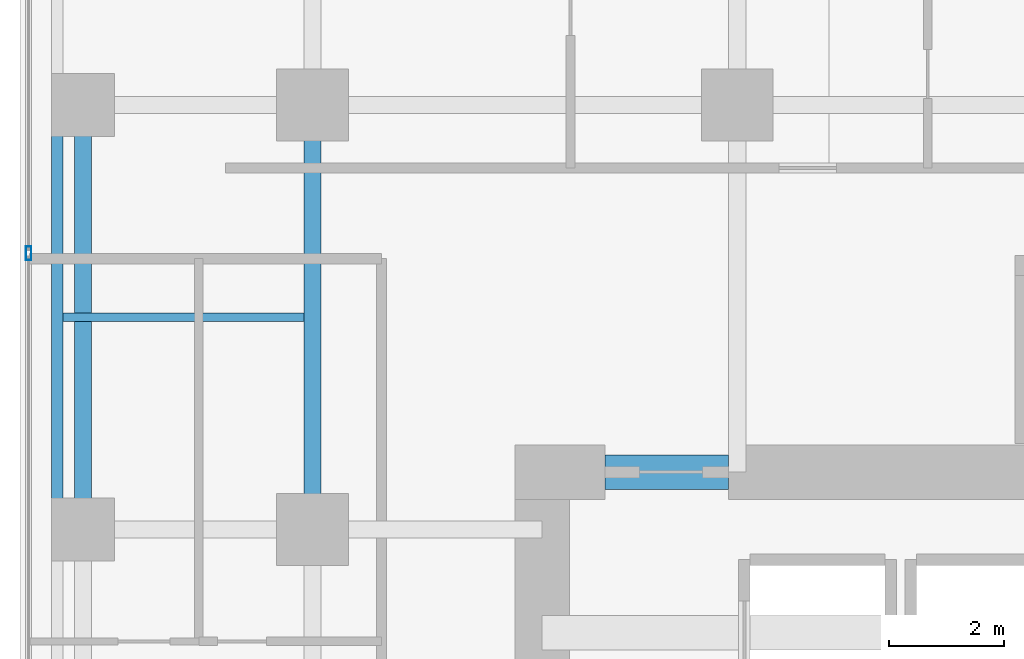
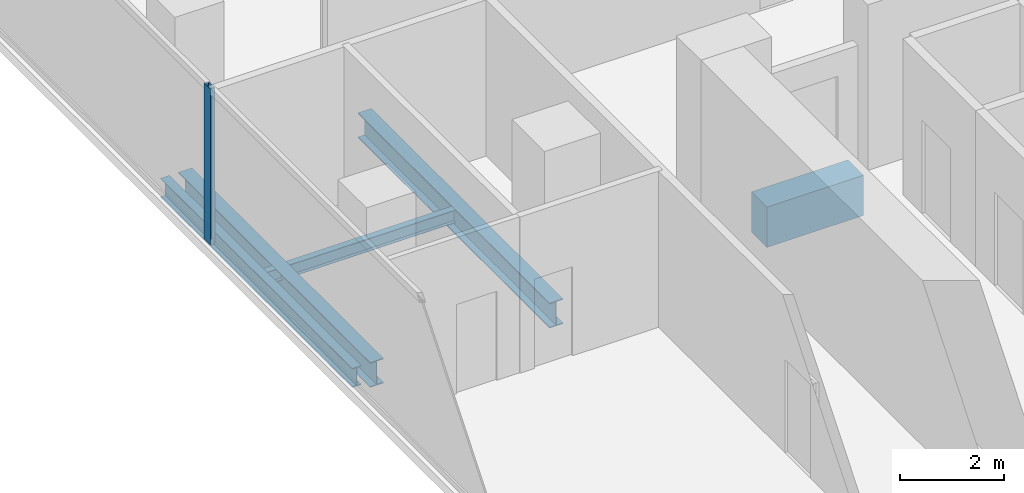
# One storey, part 7 of 27: 5 beams, 1 member, 1 element without a shape of its own.
"""IFC4 building model written with IfcOpenShell, lengths in metres."""

from ifc_helpers import new_model, si_unit, direction, frame, origin, origin_2d, place, context, subcontext, project, spatial, rectangle, hollow_rectangle, i_section, extrude, material, layer, layer_set, material_profile, profile_set, type_object, element, aggregate, save


model = new_model("IFC4")

# Units and contexts
model_context = context("Model", 3, precision=1e-05, world=origin(), true_north=direction((0.0, 1.0)))
body_context = subcontext(model_context, "Body", "Model", "MODEL_VIEW")
ifc_project = project(units=[si_unit("LENGTHUNIT", "METRE"), si_unit("AREAUNIT", "SQUARE_METRE"), si_unit("VOLUMEUNIT", "CUBIC_METRE"), si_unit("PLANEANGLEUNIT", "RADIAN"), si_unit("MASSUNIT", "GRAM", prefix="KILO")], contexts=[model_context])

# Site, building, storey
site_placement = place(None, origin())
site = spatial("IfcSite", under=ifc_project, at=site_placement, CompositionType="ELEMENT")
building_placement = place(site_placement, origin())
building = spatial("IfcBuilding", under=site, at=building_placement, Name="Khorvyn Point Tower", CompositionType="ELEMENT")
storey_placement = place(building_placement, frame((0.0, 0.0, 129.0)))
storey = spatial("IfcBuildingStorey", under=building, at=storey_placement, Name="L32", CompositionType="ELEMENT", Elevation=129.0)

# Curtain wall, member
ifc_material_1 = material(Name="Anodised aluminium 6063-T6 and laminated Low-E glass", Category="aluminium")
ifc_layer = layer(ifc_material_1, 0.18994140625)
ifc_layer_set = layer_set([ifc_layer], Name="Stick-Built Acoustic Curtain Wall CW-SYS-03")
curtain_wall_type = type_object("IfcCurtainWallType", Name="Stick-Built Acoustic Curtain Wall CW-SYS-03", PredefinedType="NOTDEFINED", material=ifc_layer_set)
curtain_wall_placement = place(storey_placement, origin())
curtain_wall = element("IfcCurtainWall", 1, at=curtain_wall_placement, inside=storey, type_object=curtain_wall_type, Name="Curtain Wall", PredefinedType="NOTDEFINED")
ifc_material_2 = material(Name="Anodised aluminium 6063-T6", Category="aluminium")
ifc_material_profile_1 = material_profile(ifc_material_2, hollow_rectangle(XDim=0.10009765625, YDim=0.239990234375, WallThickness=0.0048828125, at=origin_2d()))
ifc_profile_set_1 = profile_set([ifc_material_profile_1], Name="Anodised aluminium 6063-T6 ALU-MUL-100x240")
member_type = type_object("IfcMemberType", Name="Anodised Aluminium 6063-T6 Mullion ALU-MUL-100x240", PredefinedType="MULLION", material=ifc_profile_set_1)
member_placement = place(storey_placement, frame((-19.75, 12.216552734375, 0.0), z_axis=(0.0, 0.0, 1.0), x_axis=(-1.0, 0.0, 0.0)))
member = element("IfcMember", 2, at=member_placement, type_object=member_type, Name="Transom", PredefinedType="MULLION", context=body_context, shape_type="SweptSolid", body=[
    extrude(hollow_rectangle(XDim=0.10009765625, YDim=0.239990234375, WallThickness=0.0048828125, at=origin_2d()), origin(), (0.0, 0.0, 1.0), 3.679931640625),
])
aggregate(curtain_wall, [member])

# Beams
ifc_material_3 = material(Name="Concrete C50/60", Category="concrete")
ifc_material_profile_2 = material_profile(ifc_material_3, rectangle(XDim=0.60009765625, YDim=0.949951171875, at=origin_2d()))
ifc_profile_set_2 = profile_set([ifc_material_profile_2], Name="Concrete C50/60 RC600x950")
beam_type_1 = type_object("IfcBeamType", Name="Concrete C50/60 Beam RC600x950", PredefinedType="BEAM", material=ifc_profile_set_2)
beam_1_placement = place(storey_placement, frame((-9.699951171875, 8.39990234375, -0.695068359375), z_axis=(1.0, 0.0, 0.0), x_axis=(0.0, 1.0, 0.0)))
element("IfcBeam", 3, at=beam_1_placement, inside=storey, type_object=beam_type_1, Name="L32 Core Northwest Portal Coupling Beam", PredefinedType="BEAM", context=body_context, shape_type="SweptSolid", body=[
    extrude(rectangle(XDim=0.60009765625, YDim=0.949951171875, at=origin_2d()), origin(), (0.0, 0.0, 1.0), 2.14990234375),
])
ifc_material_4 = material(Name="Steel S355", Category="steel")
ifc_material_profile_3 = material_profile(ifc_material_4, i_section(OverallWidth=0.300048828125, OverallDepth=0.587890625, WebThickness=0.011962890625, FlangeThickness=0.02001953125, at=origin_2d()))
ifc_profile_set_3 = profile_set([ifc_material_profile_3], Name="Steel S355 H588x300x12x20")
beam_type_2 = type_object("IfcBeamType", Name="Steel S355 Beam H588x300x12x20", PredefinedType="BEAM", material=ifc_profile_set_3)
for number, where, z_axis, x_axis, name in (
    (4, (-14.800048828125, 7.39990234375, -0.513916015625), (0.0, 1.0, 0.0), (-1.0, 0.0, 0.0), "Beam"),
    (5, (-18.800048828125, 7.39990234375, -0.513916015625), (0.0, 1.0, 0.0), (-1.0, 0.0, 0.0), "Beam"),
):
    element("IfcBeam", number, at=place(storey_placement, frame(where, z_axis=z_axis, x_axis=x_axis)), inside=storey, type_object=beam_type_2, Name=name, PredefinedType="BEAM", context=body_context, shape_type="SweptSolid", body=[
        extrude(i_section(OverallWidth=0.300048828125, OverallDepth=0.587890625, WebThickness=0.011962890625, FlangeThickness=0.02001953125, at=origin_2d()), origin(), (0.0, 0.0, 1.0), 7.400146484375),
    ])
ifc_material_profile_4 = material_profile(ifc_material_4, i_section(OverallWidth=0.14990234375, OverallDepth=0.300048828125, WebThickness=0.006591796875, FlangeThickness=0.009033203125, at=origin_2d()))
ifc_profile_set_4 = profile_set([ifc_material_profile_4], Name="Steel S355 H300x150x6.5x9")
beam_type_3 = type_object("IfcBeamType", Name="Steel S355 Joist H300x150x6.5x9", PredefinedType="JOIST", material=ifc_profile_set_4)
beam_2_placement = place(storey_placement, frame((-19.14990234375, 11.10009765625, -0.3701171875), z_axis=(1.0, 0.0, 0.0), x_axis=(0.0, 1.0, 0.0)))
element("IfcBeam", 6, at=beam_2_placement, inside=storey, type_object=beam_type_3, Name="Beam", PredefinedType="JOIST", context=body_context, shape_type="SweptSolid", body=[
    extrude(i_section(OverallWidth=0.14990234375, OverallDepth=0.300048828125, WebThickness=0.006591796875, FlangeThickness=0.009033203125, at=origin_2d()), origin(), (0.0, 0.0, 1.0), 4.199951171875),
])
ifc_material_profile_5 = material_profile(ifc_material_4, i_section(OverallWidth=0.199951171875, OverallDepth=0.449951171875, WebThickness=0.009033203125, FlangeThickness=0.013916015625, at=origin_2d()))
ifc_profile_set_5 = profile_set([ifc_material_profile_5], Name="Steel S355 H450x200x9x14")
beam_type_4 = type_object("IfcBeamType", Name="Steel S355 Spandrel H450x200x9x14", PredefinedType="SPANDREL", material=ifc_profile_set_5)
beam_3_placement = place(storey_placement, frame((-19.25, 7.39990234375, -0.445068359375), z_axis=(0.0, 1.0, 0.0), x_axis=(-1.0, 0.0, 0.0)))
element("IfcBeam", 7, at=beam_3_placement, inside=storey, type_object=beam_type_4, Name="Beam", PredefinedType="SPANDREL", context=body_context, shape_type="SweptSolid", body=[
    extrude(i_section(OverallWidth=0.199951171875, OverallDepth=0.449951171875, WebThickness=0.009033203125, FlangeThickness=0.013916015625, at=origin_2d()), origin(), (0.0, 0.0, 1.0), 7.400146484375),
])

save(model, "model.ifc")
